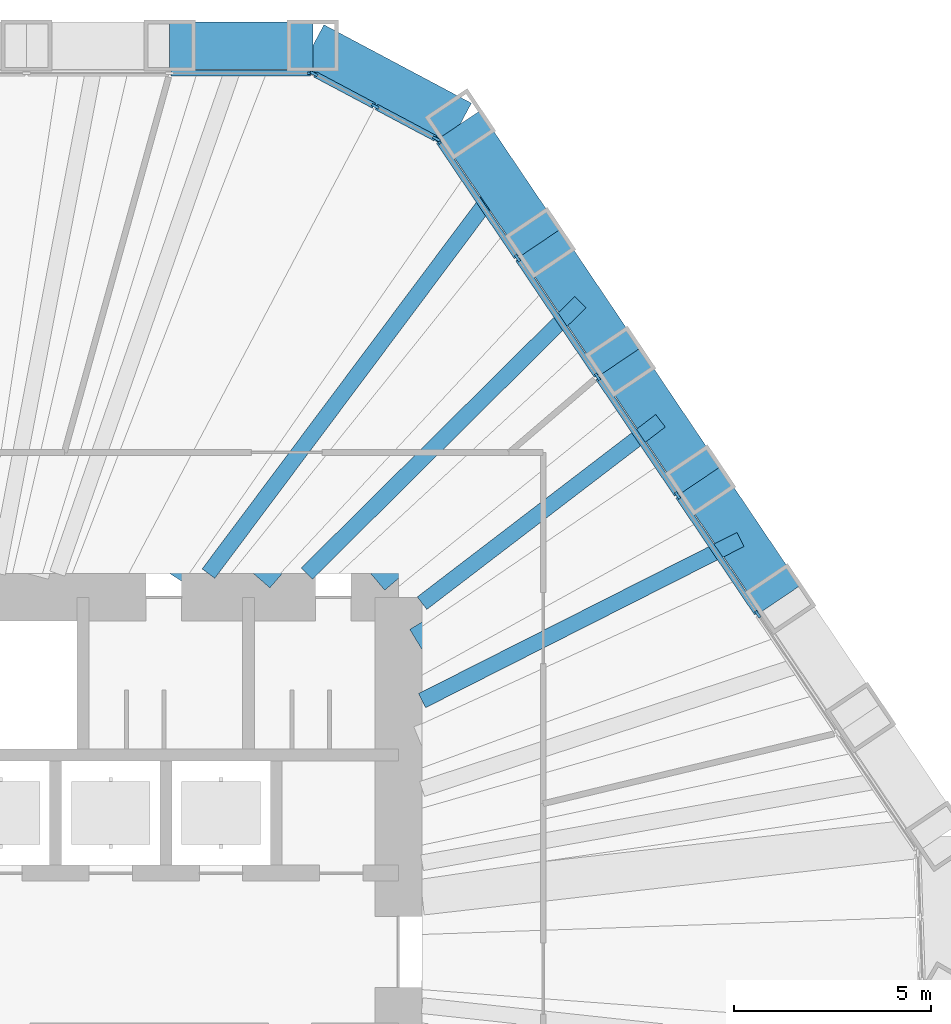
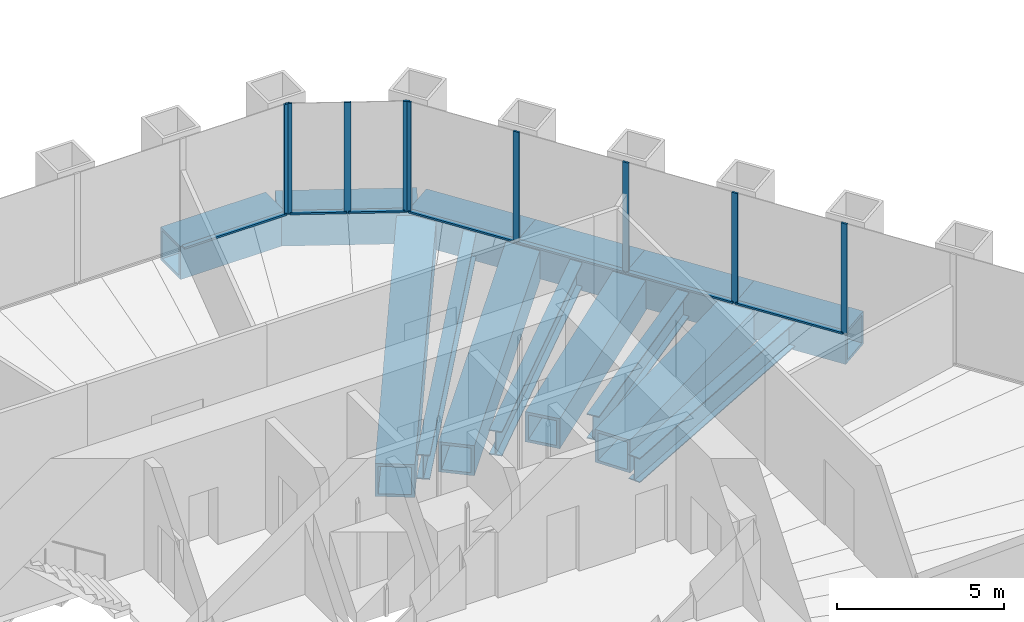
# One storey, part 7 of 20: 22 members, 8 beams, 3 elements without a shape of their own.
"""IFC4 building model written with IfcOpenShell, lengths in metres."""

from ifc_helpers import new_model, si_unit, direction, frame, origin, origin_2d, place, context, subcontext, project, spatial, rectangle, hollow_rectangle, i_section, extrude, material, material_profile, profile_set, type_object, element, aggregate, save


model = new_model("IFC4")

# Units and contexts
model_context = context("Model", 3, precision=1e-05, world=origin(), true_north=direction((0.0, 1.0)))
body_context = subcontext(model_context, "Body", "Model", "MODEL_VIEW")
ifc_project = project(units=[si_unit("LENGTHUNIT", "METRE"), si_unit("AREAUNIT", "SQUARE_METRE"), si_unit("VOLUMEUNIT", "CUBIC_METRE"), si_unit("PLANEANGLEUNIT", "RADIAN"), si_unit("MASSUNIT", "GRAM", prefix="KILO")], contexts=[model_context])

# Site, building, storey
site_placement = place(None, origin())
site = spatial("IfcSite", under=ifc_project, at=site_placement, CompositionType="ELEMENT")
building_placement = place(site_placement, origin())
building = spatial("IfcBuilding", under=site, at=building_placement, Name="Qingtian Harvest Tower", CompositionType="ELEMENT")
storey_placement = place(building_placement, frame((0.0, 0.0, 180.39990234375)))
storey = spatial("IfcBuildingStorey", under=building, at=storey_placement, Name="L38", CompositionType="ELEMENT", Elevation=180.39990234375)

# Members
ifc_material_1 = material(Name="Steel SM570MC", Category="steel")
ifc_material_profile_1 = material_profile(ifc_material_1, hollow_rectangle(XDim=1.199951171875, YDim=1.199951171875, WallThickness=0.10009765625, at=origin_2d()), Name="BOX1200x1200x100")
ifc_profile_set_1 = profile_set([ifc_material_profile_1], Name="Steel SM570MC")
member_type_1 = type_object("IfcMemberType", Name="Belt truss chord BC2 BOX1200x1200x100", PredefinedType="CHORD", material=ifc_profile_set_1)
member_1_placement = place(storey_placement, frame((6.19580078125, 23.0, -0.599853515625), z_axis=(1.0, 0.0, 0.0), x_axis=(0.0, 1.0, 0.0)))
element("IfcMember", 1, at=member_1_placement, inside=storey, type_object=member_type_1, Name="Belt chord BC2 N5", PredefinedType="CHORD", context=body_context, shape_type="SweptSolid", body=[
    extrude(hollow_rectangle(XDim=1.199951171875, YDim=1.199951171875, WallThickness=0.10009765625, at=origin_2d()), origin(), (0.0, 0.0, 1.0), 3.633544921875),
])
member_2_placement = place(storey_placement, frame((9.829345703125, 23.0, -0.599853515625), z_axis=(0.882935902835, -0.469493547863, 0.0), x_axis=(0.469493547863, 0.882935902835, 0.0)))
element("IfcMember", 2, at=member_2_placement, inside=storey, type_object=member_type_1, Name="Belt chord BC2 NC", PredefinedType="CHORD", context=body_context, shape_type="SweptSolid", body=[
    extrude(hollow_rectangle(XDim=1.199951171875, YDim=1.199951171875, WallThickness=0.10009765625, at=origin_2d()), origin(), (0.0, 0.0, 1.0), 4.238037109375),
])
for number, where, z_axis, x_axis, name in (
    (3, (13.5712890625, 21.01025390625, -0.599853515625), (0.559235108412, -0.829009103399, 0.0), (0.829009103399, 0.559235108412, 0.0), "Belt chord BC2 NE0"),
    (4, (15.603271484375, 17.998046875, -0.599853515625), (0.55915777886, -0.829061263321, 0.0), (0.829061263321, 0.55915777886, 0.0), "Belt chord BC2 NE1"),
):
    element("IfcMember", number, at=place(storey_placement, frame(where, z_axis=z_axis, x_axis=x_axis)), inside=storey, type_object=member_type_1, Name=name, PredefinedType="CHORD", context=body_context, shape_type="SweptSolid", body=[
        extrude(hollow_rectangle(XDim=1.199951171875, YDim=1.199951171875, WallThickness=0.10009765625, at=origin_2d()), origin(), (0.0, 0.0, 1.0), 3.633544921875),
    ])
member_3_placement = place(storey_placement, frame((17.635009765625, 14.985595703125, -0.599853515625), z_axis=(0.55920395902, -0.829030115385, 0.0), x_axis=(0.829030115385, 0.55920395902, 0.0)))
element("IfcMember", 5, at=member_3_placement, inside=storey, type_object=member_type_1, Name="Belt chord BC2 NE2", PredefinedType="CHORD", context=body_context, shape_type="SweptSolid", body=[
    extrude(hollow_rectangle(XDim=1.199951171875, YDim=1.199951171875, WallThickness=0.10009765625, at=origin_2d()), origin(), (0.0, 0.0, 1.0), 3.6337890625),
])
member_4_placement = place(storey_placement, frame((19.6669921875, 11.97314453125, -0.599853515625), z_axis=(0.559188928021, -0.829040254016, 0.0), x_axis=(0.829040254016, 0.559188928021, 0.0)))
element("IfcMember", 6, at=member_4_placement, inside=storey, type_object=member_type_1, Name="Belt chord BC2 NE3", PredefinedType="CHORD", context=body_context, shape_type="SweptSolid", body=[
    extrude(hollow_rectangle(XDim=1.199951171875, YDim=1.199951171875, WallThickness=0.10009765625, at=origin_2d()), origin(), (0.0, 0.0, 1.0), 3.63330078125),
])

# Beams
ifc_material_2 = material(Name="Steel SN490B", Category="steel")
ifc_material_profile_2 = material_profile(ifc_material_2, i_section(OverallWidth=0.39990234375, OverallDepth=0.89990234375, WebThickness=0.01904296875, FlangeThickness=0.035888671875, at=origin_2d()), Name="H900x400x19x36")
ifc_profile_set_2 = profile_set([ifc_material_profile_2], Name="Steel SN490B")
beam_type_1 = type_object("IfcBeamType", Name="Floor joist J4 H900x400x19x36", PredefinedType="JOIST", material=ifc_profile_set_2)
beam_1_placement = place(storey_placement, frame((14.58740234375, 19.504150390625, -0.619873046875), z_axis=(-0.598935081494, -0.800797582511, 0.0), x_axis=(0.800797582511, -0.598935081494, 0.0)))
element("IfcBeam", 7, at=beam_1_placement, inside=storey, type_object=beam_type_1, Name="Floor joist J4 NE0", PredefinedType="JOIST", context=body_context, shape_type="SweptSolid", body=[
    extrude(i_section(OverallWidth=0.39990234375, OverallDepth=0.89990234375, WebThickness=0.01904296875, FlangeThickness=0.035888671875, at=origin_2d()), origin(), (0.0, 0.0, 1.0), 12.36767578125),
])
beam_2_placement = place(storey_placement, frame((16.619140625, 16.49169921875, -0.619873046875), z_axis=(-0.709833839663, -0.704369164622, 0.0), x_axis=(0.704369164622, -0.709833839663, 0.0)))
element("IfcBeam", 8, at=beam_2_placement, inside=storey, type_object=beam_type_1, Name="Floor joist J4 NE1", PredefinedType="JOIST", context=body_context, shape_type="SweptSolid", body=[
    extrude(i_section(OverallWidth=0.39990234375, OverallDepth=0.89990234375, WebThickness=0.01904296875, FlangeThickness=0.035888671875, at=origin_2d()), origin(), (0.0, 0.0, 1.0), 9.7841796875),
])
beam_3_placement = place(storey_placement, frame((18.651123046875, 13.4794921875, -0.619873046875), z_axis=(-0.794222288871, -0.607627316585, 0.0), x_axis=(0.607627316585, -0.794222288871, 0.0)))
element("IfcBeam", 9, at=beam_3_placement, inside=storey, type_object=beam_type_1, Name="Floor joist J4 NE2", PredefinedType="JOIST", context=body_context, shape_type="SweptSolid", body=[
    extrude(i_section(OverallWidth=0.39990234375, OverallDepth=0.89990234375, WebThickness=0.01904296875, FlangeThickness=0.035888671875, at=origin_2d()), origin(), (0.0, 0.0, 1.0), 7.618896484375),
])
beam_4_placement = place(storey_placement, frame((20.682861328125, 10.467041015625, -0.619873046875), z_axis=(-0.892244443914, -0.451552712652, 0.0), x_axis=(0.451552712652, -0.892244443914, 0.0)))
element("IfcBeam", 10, at=beam_4_placement, inside=storey, type_object=beam_type_1, Name="Floor joist J4 NE3", PredefinedType="JOIST", context=body_context, shape_type="SweptSolid", body=[
    extrude(i_section(OverallWidth=0.39990234375, OverallDepth=0.89990234375, WebThickness=0.01904296875, FlangeThickness=0.035888671875, at=origin_2d()), origin(), (0.0, 0.0, 1.0), 9.058837890625),
])

# Curtain wall, member
ifc_material_3 = material(Name="Bronze-anodised aluminium curtain wall", Category="aluminium")
curtain_wall_type = type_object("IfcCurtainWallType", Name="Curtain wall CW3 sky lobby", PredefinedType="USERDEFINED", material=ifc_material_3)
curtain_wall_1_placement = place(storey_placement, origin())
curtain_wall_1 = element("IfcCurtainWall", 11, at=curtain_wall_1_placement, inside=storey, type_object=curtain_wall_type, Name="Curtain wall CW3 L38 N0-5", ObjectType="RECESSED CURTAIN WALL", PredefinedType="USERDEFINED")
ifc_material_4 = material(Name="Bronze-anodised aluminium mullion", Category="aluminium")
ifc_material_profile_3 = material_profile(ifc_material_4, rectangle(XDim=0.06494140625, YDim=0.199951171875, at=origin_2d()), Name="AL 65x200")
ifc_profile_set_3 = profile_set([ifc_material_profile_3], Name="Bronze-anodised aluminium mullion")
member_type_2 = type_object("IfcMemberType", Name="Mullion CWM 65x200", PredefinedType="MULLION", material=ifc_profile_set_3)
member_5_placement = place(storey_placement, frame((9.796875, 22.300048828125, 0.0), z_axis=(0.0, 0.0, 1.0), x_axis=(0.0, 1.0, 0.0)))
member_5 = element("IfcMember", 12, at=member_5_placement, type_object=member_type_2, Name="CW3 mullion 7", PredefinedType="MULLION", context=body_context, shape_type="SweptSolid", body=[
    extrude(rectangle(XDim=0.06494140625, YDim=0.199951171875, at=origin_2d()), origin(), (0.0, 0.0, 1.0), 4.030029296875),
])

# Curtain wall, members
curtain_wall_2_placement = place(storey_placement, origin())
curtain_wall_2 = element("IfcCurtainWall", 13, at=curtain_wall_2_placement, inside=storey, type_object=curtain_wall_type, Name="Curtain wall CW3 L38 NC", ObjectType="RECESSED CURTAIN WALL", PredefinedType="USERDEFINED")
member_6_placement = place(storey_placement, frame((9.85791015625, 22.28466796875, 0.0), z_axis=(0.0, 0.0, 1.0), x_axis=(0.469471562786, 0.882947592859, 0.0)))
member_6 = element("IfcMember", 14, at=member_6_placement, type_object=member_type_2, Name="CW3 mullion 1", PredefinedType="MULLION", context=body_context, shape_type="SweptSolid", body=[
    extrude(rectangle(XDim=0.06494140625, YDim=0.199951171875, at=origin_2d()), origin(), (0.0, 0.0, 1.0), 4.030029296875),
])
member_7_placement = place(storey_placement, frame((11.41015625, 21.45947265625, 0.0), z_axis=(0.0, 0.0, 1.0), x_axis=(0.469471562786, 0.882947592859, 0.0)))
member_7 = element("IfcMember", 15, at=member_7_placement, type_object=member_type_2, Name="CW3 mullion 2", PredefinedType="MULLION", context=body_context, shape_type="SweptSolid", body=[
    extrude(rectangle(XDim=0.06494140625, YDim=0.199951171875, at=origin_2d()), origin(), (0.0, 0.0, 1.0), 4.030029296875),
])
member_8_placement = place(storey_placement, frame((12.96240234375, 20.634033203125, 0.0), z_axis=(0.0, 0.0, 1.0), x_axis=(0.469471562786, 0.882947592859, 0.0)))
member_8 = element("IfcMember", 16, at=member_8_placement, type_object=member_type_2, Name="CW3 mullion 3", PredefinedType="MULLION", context=body_context, shape_type="SweptSolid", body=[
    extrude(rectangle(XDim=0.06494140625, YDim=0.199951171875, at=origin_2d()), origin(), (0.0, 0.0, 1.0), 4.030029296875),
])

curtain_wall_3_placement = place(storey_placement, origin())
curtain_wall_3 = element("IfcCurtainWall", 17, at=curtain_wall_3_placement, inside=storey, type_object=curtain_wall_type, Name="Curtain wall CW3 L38 NE0-5", ObjectType="RECESSED CURTAIN WALL", PredefinedType="USERDEFINED")
member_9_placement = place(storey_placement, frame((13.00927734375, 20.592041015625, 0.0), z_axis=(0.0, 0.0, 1.0), x_axis=(0.829037572555, 0.559192903471, 0.0)))
member_9 = element("IfcMember", 18, at=member_9_placement, type_object=member_type_2, Name="CW3 mullion 1", PredefinedType="MULLION", context=body_context, shape_type="SweptSolid", body=[
    extrude(rectangle(XDim=0.06494140625, YDim=0.199951171875, at=origin_2d()), origin(), (0.0, 0.0, 1.0), 4.030029296875),
])
member_10_placement = place(storey_placement, frame((15.02294921875, 17.6064453125, 0.0), z_axis=(0.0, 0.0, 1.0), x_axis=(0.829037572555, 0.559192903471, 0.0)))
member_10 = element("IfcMember", 19, at=member_10_placement, type_object=member_type_2, Name="CW3 mullion 2", PredefinedType="MULLION", context=body_context, shape_type="SweptSolid", body=[
    extrude(rectangle(XDim=0.06494140625, YDim=0.199951171875, at=origin_2d()), origin(), (0.0, 0.0, 1.0), 4.030029296875),
])
member_11_placement = place(storey_placement, frame((17.0546875, 14.59423828125, 0.0), z_axis=(0.0, 0.0, 1.0), x_axis=(0.829037572555, 0.559192903471, 0.0)))
member_11 = element("IfcMember", 20, at=member_11_placement, type_object=member_type_2, Name="CW3 mullion 3", PredefinedType="MULLION", context=body_context, shape_type="SweptSolid", body=[
    extrude(rectangle(XDim=0.06494140625, YDim=0.199951171875, at=origin_2d()), origin(), (0.0, 0.0, 1.0), 4.030029296875),
])
member_12_placement = place(storey_placement, frame((19.086669921875, 11.581787109375, 0.0), z_axis=(0.0, 0.0, 1.0), x_axis=(0.829037572555, 0.559192903471, 0.0)))
member_12 = element("IfcMember", 21, at=member_12_placement, type_object=member_type_2, Name="CW3 mullion 4", PredefinedType="MULLION", context=body_context, shape_type="SweptSolid", body=[
    extrude(rectangle(XDim=0.06494140625, YDim=0.199951171875, at=origin_2d()), origin(), (0.0, 0.0, 1.0), 4.030029296875),
])
member_13_placement = place(storey_placement, frame((21.118408203125, 8.569580078125, 0.0), z_axis=(0.0, 0.0, 1.0), x_axis=(0.829037572555, 0.559192903471, 0.0)))
member_13 = element("IfcMember", 22, at=member_13_placement, type_object=member_type_2, Name="CW3 mullion 5", PredefinedType="MULLION", context=body_context, shape_type="SweptSolid", body=[
    extrude(rectangle(XDim=0.06494140625, YDim=0.199951171875, at=origin_2d()), origin(), (0.0, 0.0, 1.0), 4.030029296875),
])

# Beams
ifc_material_5 = material(Name="Steel SM570MC", Category="steel")
ifc_material_profile_4 = material_profile(ifc_material_5, hollow_rectangle(XDim=1.199951171875, YDim=1.199951171875, WallThickness=0.10009765625, at=origin_2d()), Name="BOX1200x1200x100")
ifc_profile_set_4 = profile_set([ifc_material_profile_4], Name="Steel SM570MC")
beam_type_2 = type_object("IfcBeamType", Name="Outrigger chord beam OC2 BOX1200x1200x100", PredefinedType="BEAM", material=ifc_profile_set_4)
beam_5_placement = place(storey_placement, frame((13.5712890625, 21.01025390625, -0.77001953125), z_axis=(-0.542593072822, -0.839995688873, 0.0), x_axis=(0.839995688873, -0.542593072822, 0.0)))
element("IfcBeam", 23, at=beam_5_placement, inside=storey, type_object=beam_type_2, Name="Floor beam OC2 NE0", PredefinedType="BEAM", context=body_context, shape_type="SweptSolid", body=[
    extrude(hollow_rectangle(XDim=1.199951171875, YDim=1.199951171875, WallThickness=0.10009765625, at=origin_2d()), origin(), (0.0, 0.0, 1.0), 13.58349609375),
])
beam_6_placement = place(storey_placement, frame((19.6669921875, 11.97314453125, -0.77001953125), z_axis=(-0.854163224424, -0.520004986554, 0.0), x_axis=(0.520004986554, -0.854163224424, 0.0)))
element("IfcBeam", 24, at=beam_6_placement, inside=storey, type_object=beam_type_2, Name="Floor beam OC2 NE3", PredefinedType="BEAM", context=body_context, shape_type="SweptSolid", body=[
    extrude(hollow_rectangle(XDim=1.199951171875, YDim=1.199951171875, WallThickness=0.10009765625, at=origin_2d()), origin(), (0.0, 0.0, 1.0), 8.2734375),
])
ifc_material_6 = material(Name="Steel SM570MC", Category="steel")
ifc_material_profile_5 = material_profile(ifc_material_6, hollow_rectangle(XDim=1.10009765625, YDim=1.10009765625, WallThickness=0.10009765625, at=origin_2d()), Name="BOX1100x1100x100")
ifc_profile_set_5 = profile_set([ifc_material_profile_5], Name="Steel SM570MC")
beam_type_3 = type_object("IfcBeamType", Name="Transfer floor beam FB9 BOX1100x1100x100", PredefinedType="BEAM", material=ifc_profile_set_5)
beam_7_placement = place(storey_placement, frame((15.603271484375, 17.998046875, -0.719970703125), z_axis=(-0.655048444444, -0.755586881458, 0.0), x_axis=(0.755586881458, -0.655048444444, 0.0)))
element("IfcBeam", 25, at=beam_7_placement, inside=storey, type_object=beam_type_3, Name="Floor beam FB9 NE1", PredefinedType="BEAM", context=body_context, shape_type="SweptSolid", body=[
    extrude(hollow_rectangle(XDim=1.10009765625, YDim=1.10009765625, WallThickness=0.10009765625, at=origin_2d()), origin(), (0.0, 0.0, 1.0), 11.114501953125),
])
beam_8_placement = place(storey_placement, frame((17.635009765625, 14.985595703125, -0.719970703125), z_axis=(-0.762028398305, -0.647543604846, 0.0), x_axis=(0.647543604846, -0.762028398305, 0.0)))
element("IfcBeam", 26, at=beam_8_placement, inside=storey, type_object=beam_type_3, Name="Floor beam FB9 NE2", PredefinedType="BEAM", context=body_context, shape_type="SweptSolid", body=[
    extrude(hollow_rectangle(XDim=1.10009765625, YDim=1.10009765625, WallThickness=0.10009765625, at=origin_2d()), origin(), (0.0, 0.0, 1.0), 8.31689453125),
])

# Member
ifc_material_7 = material(Name="Bronze-anodised aluminium transom", Category="aluminium")
ifc_material_profile_6 = material_profile(ifc_material_7, rectangle(XDim=0.14990234375, YDim=0.06494140625, at=origin_2d()), Name="AL 65x150")
ifc_profile_set_6 = profile_set([ifc_material_profile_6], Name="Bronze-anodised aluminium transom")
member_type_3 = type_object("IfcMemberType", Name="Transom CWT 65x150", PredefinedType="USERDEFINED", material=ifc_profile_set_6)
member_14_placement = place(storey_placement, frame((6.228271484375, 22.300048828125, 0.03271484375), z_axis=(1.0, 0.0, 0.0), x_axis=(0.0, 1.0, 0.0)))
member_14 = element("IfcMember", 27, at=member_14_placement, type_object=member_type_3, Name="CW3 transom 6.1", ObjectType="TRANSOM", PredefinedType="USERDEFINED", context=body_context, shape_type="SweptSolid", body=[
    extrude(rectangle(XDim=0.14990234375, YDim=0.06494140625, at=origin_2d()), origin(), (0.0, 0.0, 1.0), 3.5361328125),
])

aggregate(curtain_wall_1, [member_5, member_14])

member_15_placement = place(storey_placement, frame((9.88671875, 22.26953125, 0.03271484375), z_axis=(0.882927080927, -0.469510138086, 0.0), x_axis=(0.469510138086, 0.882927080927, 0.0)))
member_15 = element("IfcMember", 28, at=member_15_placement, type_object=member_type_3, Name="CW3 transom 1.1", ObjectType="TRANSOM", PredefinedType="USERDEFINED", context=body_context, shape_type="SweptSolid", body=[
    extrude(rectangle(XDim=0.14990234375, YDim=0.06494140625, at=origin_2d()), origin(), (0.0, 0.0, 1.0), 1.693115234375),
])

member_16_placement = place(storey_placement, frame((11.43896484375, 21.444091796875, 0.03271484375), z_axis=(0.882955074232, -0.469457492098, 0.0), x_axis=(0.469457492098, 0.882955074232, 0.0)))
member_16 = element("IfcMember", 29, at=member_16_placement, type_object=member_type_3, Name="CW3 transom 2.1", ObjectType="TRANSOM", PredefinedType="USERDEFINED", context=body_context, shape_type="SweptSolid", body=[
    extrude(rectangle(XDim=0.14990234375, YDim=0.06494140625, at=origin_2d()), origin(), (0.0, 0.0, 1.0), 1.69287109375),
])

aggregate(curtain_wall_2, [member_6, member_7, member_8, member_15, member_16])

member_17_placement = place(storey_placement, frame((13.02734375, 20.56494140625, 0.03271484375), z_axis=(0.559201266891, -0.829031931295, 0.0), x_axis=(0.829031931295, 0.559201266891, 0.0)))
member_17 = element("IfcMember", 30, at=member_17_placement, type_object=member_type_3, Name="CW3 transom 1.1", ObjectType="TRANSOM", PredefinedType="USERDEFINED", context=body_context, shape_type="SweptSolid", body=[
    extrude(rectangle(XDim=0.14990234375, YDim=0.06494140625, at=origin_2d()), origin(), (0.0, 0.0, 1.0), 3.535888671875),
])

member_18_placement = place(storey_placement, frame((15.041015625, 17.57958984375, 0.03271484375), z_axis=(0.559207281901, -0.829027874, 0.0), x_axis=(0.829027874, 0.559207281901, 0.0)))
member_18 = element("IfcMember", 31, at=member_18_placement, type_object=member_type_3, Name="CW3 transom 2.1", ObjectType="TRANSOM", PredefinedType="USERDEFINED", context=body_context, shape_type="SweptSolid", body=[
    extrude(rectangle(XDim=0.14990234375, YDim=0.06494140625, at=origin_2d()), origin(), (0.0, 0.0, 1.0), 3.568603515625),
])

member_19_placement = place(storey_placement, frame((17.072998046875, 14.567138671875, 0.03271484375), z_axis=(0.559191977147, -0.829038197368, 0.0), x_axis=(0.829038197368, 0.559191977147, 0.0)))
member_19 = element("IfcMember", 32, at=member_19_placement, type_object=member_type_3, Name="CW3 transom 3.1", ObjectType="TRANSOM", PredefinedType="USERDEFINED", context=body_context, shape_type="SweptSolid", body=[
    extrude(rectangle(XDim=0.14990234375, YDim=0.06494140625, at=origin_2d()), origin(), (0.0, 0.0, 1.0), 3.568359375),
])

member_20_placement = place(storey_placement, frame((19.104736328125, 11.554931640625, 0.03271484375), z_axis=(0.559207281901, -0.829027874, 0.0), x_axis=(0.829027874, 0.559207281901, 0.0)))
member_20 = element("IfcMember", 33, at=member_20_placement, type_object=member_type_3, Name="CW3 transom 4.1", ObjectType="TRANSOM", PredefinedType="USERDEFINED", context=body_context, shape_type="SweptSolid", body=[
    extrude(rectangle(XDim=0.14990234375, YDim=0.06494140625, at=origin_2d()), origin(), (0.0, 0.0, 1.0), 3.568603515625),
])

aggregate(curtain_wall_3, [member_9, member_10, member_11, member_12, member_13, member_17, member_18, member_19, member_20])

save(model, "model.ifc")
